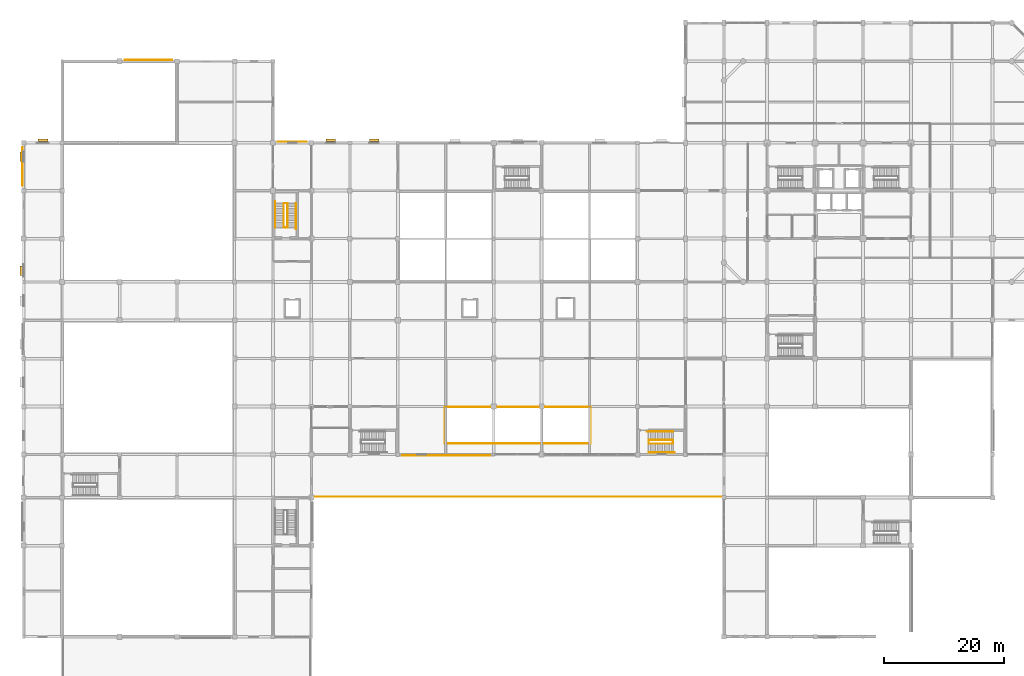
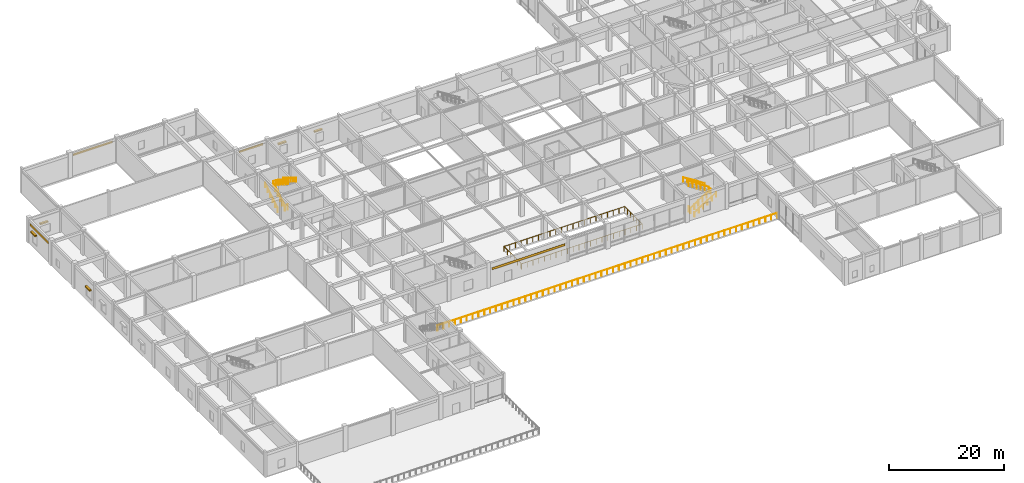
# One storey, part 34 of 36: 10 railings, 5 shading devices, 4 coverings.
"""IFC4 building model written with IfcOpenShell, lengths in metres."""

from ifc_helpers import new_model, si_unit, direction, frame, origin, origin_2d, place, context, subcontext, project, spatial, polyline, rectangle, circle, outline, extrude, material, layer, layer_set, type_object, element, save


model = new_model("IFC4")

# Units and contexts
model_context = context("Model", 3, precision=1e-05, world=origin(), true_north=direction((0.0, 1.0)))
body_context = subcontext(model_context, "Body", "Model", "MODEL_VIEW")
ifc_project = project(units=[si_unit("LENGTHUNIT", "METRE"), si_unit("AREAUNIT", "SQUARE_METRE"), si_unit("VOLUMEUNIT", "CUBIC_METRE"), si_unit("PLANEANGLEUNIT", "RADIAN"), si_unit("MASSUNIT", "GRAM", prefix="KILO")], contexts=[model_context])

# Site, building, storey
site_placement = place(None, origin())
site = spatial("IfcSite", under=ifc_project, at=site_placement, CompositionType="ELEMENT")
building_placement = place(site_placement, origin())
building = spatial("IfcBuilding", under=site, at=building_placement, Name="Vellmiral Cinema and Media Centre", CompositionType="ELEMENT")
storey_placement = place(building_placement, frame((0.0, 0.0, 5.39990234375)))
storey = spatial("IfcBuildingStorey", under=building, at=storey_placement, Name="L01", CompositionType="ELEMENT", Elevation=5.39990234375)

# Coverings
ifc_material_1 = material(Name="Polychrome Trencadis Ceramic Mosaic")
ifc_layer = layer(ifc_material_1, 0.034912109375, Name="Polychrome Trencadis Ceramic Mosaic")
ifc_layer_set = layer_set([ifc_layer], Name="Polychrome Trencadis Ceramic Mosaic")
covering_type = type_object("IfcCoveringType", Name="COV-TRENCADIS-CLAD", PredefinedType="CLADDING", material=ifc_layer_set)
covering_1_placement = place(storey_placement, frame((0.0, 0.0, 3.505126953125)))
element("IfcCovering", 1, at=covering_1_placement, inside=storey, type_object=covering_type, Name="Trencadis Spandrel Mosaic L01-012", PredefinedType="CLADDING", context=body_context, shape_type="SweptSolid", body=[
    extrude(outline(polyline([(63.125, 43.02197265625), (77.800048828125, 43.02197265625), (77.800048828125, 43.056884765625), (63.125, 43.056884765625), (63.125, 43.02197265625)])), origin(), (0.0, 0.0, 1.0), 0.47998046875),
])
covering_2_placement = place(storey_placement, frame((0.0, 0.0, 3.920166015625)))
element("IfcCovering", 2, at=covering_2_placement, inside=storey, type_object=covering_type, Name="Trencadis Spandrel Mosaic L01-060", PredefinedType="CLADDING", context=body_context, shape_type="SweptSolid", body=[
    extrude(outline(polyline([(47.22509765625, 95.3779296875), (42.39990234375, 95.3779296875), (42.39990234375, 95.343017578125), (47.22509765625, 95.343017578125), (47.22509765625, 95.3779296875)])), origin(), (0.0, 0.0, 1.0), 0.47998046875),
])
covering_3_placement = place(storey_placement, frame((0.0, 0.0, 3.9951171875)))
element("IfcCovering", 3, at=covering_3_placement, inside=storey, type_object=covering_type, Name="Trencadis Spandrel Mosaic L01-064", PredefinedType="CLADDING", context=body_context, shape_type="SweptSolid", body=[
    extrude(outline(polyline([(24.800048828125, 109.008056640625), (16.824951171875, 109.008056640625), (16.824951171875, 108.972900390625), (24.800048828125, 108.972900390625), (24.800048828125, 109.008056640625)])), origin(), (0.0, 0.0, 1.0), 0.47998046875),
])
covering_4_placement = place(storey_placement, frame((0.0, 0.0, 3.920166015625)))
element("IfcCovering", 4, at=covering_4_placement, inside=storey, type_object=covering_type, Name="Trencadis Spandrel Mosaic L01-068", PredefinedType="CLADDING", context=body_context, shape_type="SweptSolid", body=[
    extrude(outline(polyline([(-0.2080078125, 94.425048828125), (-0.2080078125, 88.0), (-0.173095703125, 88.0), (-0.173095703125, 94.425048828125), (-0.2080078125, 94.425048828125)])), origin(), (0.0, 0.0, 1.0), 0.47998046875),
])

# Railings
ifc_material_2 = material(Name="Forged Wrought-Iron Whiplash Balustrade", Category="steel")
railing_type_1 = type_object("IfcRailingType", Name="RL-BAL-WROUGHT-1120", PredefinedType="BALUSTRADE", material=ifc_material_2)
railing_1_placement = place(storey_placement, frame((48.199951171875, 36.14990234375, 0.0)))
element("IfcRailing", 5, at=railing_1_placement, inside=storey, type_object=railing_type_1, Name="Terrace Wrought-Iron Balustrade RL-TERR-L01-COURT", PredefinedType="BALUSTRADE", context=body_context, shape_type="SweptSolid", body=[
    extrude(circle(Radius=0.02392578125, at=origin_2d()), frame((0.0, 0.0, 1.09619140625), z_axis=(1.0, 0.0, 0.0), x_axis=(0.0, 1.0, 0.0)), (0.0, 0.0, 1.0), 68.400146484375),
    extrude(circle(Radius=0.02099609375, at=origin_2d()), origin(), (0.0, 0.0, 1.0), 1.072021484375),
    extrude(circle(Radius=0.02099609375, at=origin_2d()), frame((1.17919921875, 0.0, 0.0)), (0.0, 0.0, 1.0), 1.072021484375),
    extrude(circle(Radius=0.02099609375, at=origin_2d()), frame((2.358642578125, 0.0, 0.0)), (0.0, 0.0, 1.0), 1.072021484375),
    extrude(circle(Radius=0.02099609375, at=origin_2d()), frame((3.537841796875, 0.0, 0.0)), (0.0, 0.0, 1.0), 1.072021484375),
    extrude(circle(Radius=0.02099609375, at=origin_2d()), frame((4.71728515625, 0.0, 0.0)), (0.0, 0.0, 1.0), 1.072021484375),
    extrude(circle(Radius=0.02099609375, at=origin_2d()), frame((5.896484375, 0.0, 0.0)), (0.0, 0.0, 1.0), 1.072021484375),
    extrude(circle(Radius=0.02099609375, at=origin_2d()), frame((7.075927734375, 0.0, 0.0)), (0.0, 0.0, 1.0), 1.072021484375),
    extrude(circle(Radius=0.02099609375, at=origin_2d()), frame((8.255126953125, 0.0, 0.0)), (0.0, 0.0, 1.0), 1.072021484375),
    extrude(circle(Radius=0.02099609375, at=origin_2d()), frame((9.4345703125, 0.0, 0.0)), (0.0, 0.0, 1.0), 1.072021484375),
    extrude(circle(Radius=0.02099609375, at=origin_2d()), frame((10.61376953125, 0.0, 0.0)), (0.0, 0.0, 1.0), 1.072021484375),
    extrude(circle(Radius=0.02099609375, at=origin_2d()), frame((11.793212890625, 0.0, 0.0)), (0.0, 0.0, 1.0), 1.072021484375),
    extrude(circle(Radius=0.02099609375, at=origin_2d()), frame((12.972412109375, 0.0, 0.0)), (0.0, 0.0, 1.0), 1.072021484375),
    extrude(circle(Radius=0.02099609375, at=origin_2d()), frame((14.15185546875, 0.0, 0.0)), (0.0, 0.0, 1.0), 1.072021484375),
    extrude(circle(Radius=0.02099609375, at=origin_2d()), frame((15.3310546875, 0.0, 0.0)), (0.0, 0.0, 1.0), 1.072021484375),
    extrude(circle(Radius=0.02099609375, at=origin_2d()), frame((16.510498046875, 0.0, 0.0)), (0.0, 0.0, 1.0), 1.072021484375),
    extrude(circle(Radius=0.02099609375, at=origin_2d()), frame((17.689697265625, 0.0, 0.0)), (0.0, 0.0, 1.0), 1.072021484375),
    extrude(circle(Radius=0.02099609375, at=origin_2d()), frame((18.868896484375, 0.0, 0.0)), (0.0, 0.0, 1.0), 1.072021484375),
    extrude(circle(Radius=0.02099609375, at=origin_2d()), frame((20.04833984375, 0.0, 0.0)), (0.0, 0.0, 1.0), 1.072021484375),
    extrude(circle(Radius=0.02099609375, at=origin_2d()), frame((21.2275390625, 0.0, 0.0)), (0.0, 0.0, 1.0), 1.072021484375),
    extrude(circle(Radius=0.02099609375, at=origin_2d()), frame((22.406982421875, 0.0, 0.0)), (0.0, 0.0, 1.0), 1.072021484375),
    extrude(circle(Radius=0.02099609375, at=origin_2d()), frame((23.586181640625, 0.0, 0.0)), (0.0, 0.0, 1.0), 1.072021484375),
    extrude(circle(Radius=0.02099609375, at=origin_2d()), frame((24.765625, 0.0, 0.0)), (0.0, 0.0, 1.0), 1.072021484375),
    extrude(circle(Radius=0.02099609375, at=origin_2d()), frame((25.94482421875, 0.0, 0.0)), (0.0, 0.0, 1.0), 1.072021484375),
    extrude(circle(Radius=0.02099609375, at=origin_2d()), frame((27.124267578125, 0.0, 0.0)), (0.0, 0.0, 1.0), 1.072021484375),
    extrude(circle(Radius=0.02099609375, at=origin_2d()), frame((28.303466796875, 0.0, 0.0)), (0.0, 0.0, 1.0), 1.072021484375),
    extrude(circle(Radius=0.02099609375, at=origin_2d()), frame((29.48291015625, 0.0, 0.0)), (0.0, 0.0, 1.0), 1.072021484375),
    extrude(circle(Radius=0.02099609375, at=origin_2d()), frame((30.662109375, 0.0, 0.0)), (0.0, 0.0, 1.0), 1.072021484375),
    extrude(circle(Radius=0.02099609375, at=origin_2d()), frame((31.841552734375, 0.0, 0.0)), (0.0, 0.0, 1.0), 1.072021484375),
    extrude(circle(Radius=0.02099609375, at=origin_2d()), frame((33.020751953125, 0.0, 0.0)), (0.0, 0.0, 1.0), 1.072021484375),
    extrude(circle(Radius=0.02099609375, at=origin_2d()), frame((34.2001953125, 0.0, 0.0)), (0.0, 0.0, 1.0), 1.072021484375),
    extrude(circle(Radius=0.02099609375, at=origin_2d()), frame((35.37939453125, 0.0, 0.0)), (0.0, 0.0, 1.0), 1.072021484375),
    extrude(circle(Radius=0.02099609375, at=origin_2d()), frame((36.55859375, 0.0, 0.0)), (0.0, 0.0, 1.0), 1.072021484375),
    extrude(circle(Radius=0.02099609375, at=origin_2d()), frame((37.738037109375, 0.0, 0.0)), (0.0, 0.0, 1.0), 1.072021484375),
    extrude(circle(Radius=0.02099609375, at=origin_2d()), frame((38.917236328125, 0.0, 0.0)), (0.0, 0.0, 1.0), 1.072021484375),
    extrude(circle(Radius=0.02099609375, at=origin_2d()), frame((40.0966796875, 0.0, 0.0)), (0.0, 0.0, 1.0), 1.072021484375),
    extrude(circle(Radius=0.02099609375, at=origin_2d()), frame((41.27587890625, 0.0, 0.0)), (0.0, 0.0, 1.0), 1.072021484375),
    extrude(circle(Radius=0.02099609375, at=origin_2d()), frame((42.455322265625, 0.0, 0.0)), (0.0, 0.0, 1.0), 1.072021484375),
    extrude(circle(Radius=0.02099609375, at=origin_2d()), frame((43.634521484375, 0.0, 0.0)), (0.0, 0.0, 1.0), 1.072021484375),
    extrude(circle(Radius=0.02099609375, at=origin_2d()), frame((44.81396484375, 0.0, 0.0)), (0.0, 0.0, 1.0), 1.072021484375),
    extrude(circle(Radius=0.02099609375, at=origin_2d()), frame((45.9931640625, 0.0, 0.0)), (0.0, 0.0, 1.0), 1.072021484375),
    extrude(circle(Radius=0.02099609375, at=origin_2d()), frame((47.172607421875, 0.0, 0.0)), (0.0, 0.0, 1.0), 1.072021484375),
    extrude(circle(Radius=0.02099609375, at=origin_2d()), frame((48.351806640625, 0.0, 0.0)), (0.0, 0.0, 1.0), 1.072021484375),
    extrude(circle(Radius=0.02099609375, at=origin_2d()), frame((49.53125, 0.0, 0.0)), (0.0, 0.0, 1.0), 1.072021484375),
    extrude(circle(Radius=0.02099609375, at=origin_2d()), frame((50.71044921875, 0.0, 0.0)), (0.0, 0.0, 1.0), 1.072021484375),
    extrude(circle(Radius=0.02099609375, at=origin_2d()), frame((51.8896484375, 0.0, 0.0)), (0.0, 0.0, 1.0), 1.072021484375),
    extrude(circle(Radius=0.02099609375, at=origin_2d()), frame((53.069091796875, 0.0, 0.0)), (0.0, 0.0, 1.0), 1.072021484375),
    extrude(circle(Radius=0.02099609375, at=origin_2d()), frame((54.248291015625, 0.0, 0.0)), (0.0, 0.0, 1.0), 1.072021484375),
    extrude(circle(Radius=0.02099609375, at=origin_2d()), frame((55.427734375, 0.0, 0.0)), (0.0, 0.0, 1.0), 1.072021484375),
    extrude(circle(Radius=0.02099609375, at=origin_2d()), frame((56.60693359375, 0.0, 0.0)), (0.0, 0.0, 1.0), 1.072021484375),
    extrude(circle(Radius=0.02099609375, at=origin_2d()), frame((57.786376953125, 0.0, 0.0)), (0.0, 0.0, 1.0), 1.072021484375),
    extrude(circle(Radius=0.02099609375, at=origin_2d()), frame((58.965576171875, 0.0, 0.0)), (0.0, 0.0, 1.0), 1.072021484375),
    extrude(circle(Radius=0.02099609375, at=origin_2d()), frame((60.14501953125, 0.0, 0.0)), (0.0, 0.0, 1.0), 1.072021484375),
    extrude(circle(Radius=0.02099609375, at=origin_2d()), frame((61.32421875, 0.0, 0.0)), (0.0, 0.0, 1.0), 1.072021484375),
    extrude(circle(Radius=0.02099609375, at=origin_2d()), frame((62.503662109375, 0.0, 0.0)), (0.0, 0.0, 1.0), 1.072021484375),
    extrude(circle(Radius=0.02099609375, at=origin_2d()), frame((63.682861328125, 0.0, 0.0)), (0.0, 0.0, 1.0), 1.072021484375),
    extrude(circle(Radius=0.02099609375, at=origin_2d()), frame((64.8623046875, 0.0, 0.0)), (0.0, 0.0, 1.0), 1.072021484375),
    extrude(circle(Radius=0.02099609375, at=origin_2d()), frame((66.04150390625, 0.0, 0.0)), (0.0, 0.0, 1.0), 1.072021484375),
    extrude(circle(Radius=0.02099609375, at=origin_2d()), frame((67.220947265625, 0.0, 0.0)), (0.0, 0.0, 1.0), 1.072021484375),
    extrude(circle(Radius=0.02099609375, at=origin_2d()), frame((68.400146484375, 0.0, 0.0)), (0.0, 0.0, 1.0), 1.072021484375),
])
ifc_material_3 = material(Name="Brushed Stainless Steel Handrail", Category="steel")
railing_type_2 = type_object("IfcRailingType", Name="RL-HANDRAIL-900", PredefinedType="HANDRAIL", material=ifc_material_3)
railing_2_placement = place(storey_placement, frame((41.9599609375, 81.050048828125, 0.18017578125)))
element("IfcRailing", 6, at=railing_2_placement, inside=storey, type_object=railing_type_2, Name="Stair Wall Handrail ST-P2 L01-1", PredefinedType="HANDRAIL", context=body_context, shape_type="SweptSolid", body=[
    extrude(circle(Radius=0.02392578125, at=origin_2d()), frame((0.0, 0.0, 0.8759765625), z_axis=(0.0, 0.849636482215, 0.527368797038), x_axis=(-1.0, 0.0, 0.0)), (0.0, 0.0, 1.0), 5.11962890625),
    extrude(circle(Radius=0.02099609375, at=origin_2d()), origin(), (0.0, 0.0, 1.0), 0.851806640625),
    extrude(circle(Radius=0.02099609375, at=origin_2d()), frame((0.0, 0.869873046875, 0.5400390625)), (0.0, 0.0, 1.0), 0.851806640625),
    extrude(circle(Radius=0.02099609375, at=origin_2d()), frame((0.0, 1.739990234375, 1.080078125)), (0.0, 0.0, 1.0), 0.851806640625),
    extrude(circle(Radius=0.02099609375, at=origin_2d()), frame((0.0, 2.60986328125, 1.619873046875)), (0.0, 0.0, 1.0), 0.851806640625),
    extrude(circle(Radius=0.02099609375, at=origin_2d()), frame((0.0, 3.47998046875, 2.159912109375)), (0.0, 0.0, 1.0), 0.851806640625),
    extrude(circle(Radius=0.02099609375, at=origin_2d()), frame((0.0, 4.349853515625, 2.699951171875)), (0.0, 0.0, 1.0), 0.851806640625),
])
railing_3_placement = place(storey_placement, frame((45.43994140625, 85.110107421875, 2.880126953125)))
element("IfcRailing", 7, at=railing_3_placement, inside=storey, type_object=railing_type_2, Name="Stair Wall Handrail ST-P2 L01-2", PredefinedType="HANDRAIL", context=body_context, shape_type="SweptSolid", body=[
    extrude(circle(Radius=0.02392578125, at=origin_2d()), frame((0.0, 0.0, 0.8759765625), z_axis=(0.0, -0.849649743971, 0.527347430608), x_axis=(1.0, 0.0, 0.0)), (0.0, 0.0, 1.0), 5.119873046875),
    extrude(circle(Radius=0.02099609375, at=origin_2d()), origin(), (0.0, 0.0, 1.0), 0.851806640625),
    extrude(circle(Radius=0.02099609375, at=origin_2d()), frame((0.0, -0.8701171875, 0.5400390625)), (0.0, 0.0, 1.0), 0.851806640625),
    extrude(circle(Radius=0.02099609375, at=origin_2d()), frame((0.0, -1.739990234375, 1.080078125)), (0.0, 0.0, 1.0), 0.851806640625),
    extrude(circle(Radius=0.02099609375, at=origin_2d()), frame((0.0, -2.610107421875, 1.619873046875)), (0.0, 0.0, 1.0), 0.851806640625),
    extrude(circle(Radius=0.02099609375, at=origin_2d()), frame((0.0, -3.47998046875, 2.159912109375)), (0.0, 0.0, 1.0), 0.851806640625),
    extrude(circle(Radius=0.02099609375, at=origin_2d()), frame((0.0, -4.35009765625, 2.699951171875)), (0.0, 0.0, 1.0), 0.851806640625),
])
railing_4_placement = place(storey_placement, frame((104.25, 43.56005859375, 0.18017578125)))
element("IfcRailing", 8, at=railing_4_placement, inside=storey, type_object=railing_type_2, Name="Stair Wall Handrail ST-P4 L01-1", PredefinedType="HANDRAIL", context=body_context, shape_type="SweptSolid", body=[
    extrude(circle(Radius=0.02392578125, at=origin_2d()), frame((0.0, 0.0, 0.8759765625), z_axis=(0.849649743971, 0.0, 0.527347430608), x_axis=(0.0, 1.0, 0.0)), (0.0, 0.0, 1.0), 5.119873046875),
    extrude(circle(Radius=0.02099609375, at=origin_2d()), origin(), (0.0, 0.0, 1.0), 0.851806640625),
    extrude(circle(Radius=0.02099609375, at=origin_2d()), frame((0.8701171875, 0.0, 0.5400390625)), (0.0, 0.0, 1.0), 0.851806640625),
    extrude(circle(Radius=0.02099609375, at=origin_2d()), frame((1.739990234375, 0.0, 1.080078125)), (0.0, 0.0, 1.0), 0.851806640625),
    extrude(circle(Radius=0.02099609375, at=origin_2d()), frame((2.610107421875, 0.0, 1.619873046875)), (0.0, 0.0, 1.0), 0.851806640625),
    extrude(circle(Radius=0.02099609375, at=origin_2d()), frame((3.47998046875, 0.0, 2.159912109375)), (0.0, 0.0, 1.0), 0.851806640625),
    extrude(circle(Radius=0.02099609375, at=origin_2d()), frame((4.35009765625, 0.0, 2.699951171875)), (0.0, 0.0, 1.0), 0.851806640625),
])
railing_5_placement = place(storey_placement, frame((108.31005859375, 47.0400390625, 2.880126953125)))
element("IfcRailing", 9, at=railing_5_placement, inside=storey, type_object=railing_type_2, Name="Stair Wall Handrail ST-P4 L01-2", PredefinedType="HANDRAIL", context=body_context, shape_type="SweptSolid", body=[
    extrude(circle(Radius=0.02392578125, at=origin_2d()), frame((0.0, 0.0, 0.8759765625), z_axis=(-0.849649743971, 0.0, 0.527347430608), x_axis=(0.0, -1.0, 0.0)), (0.0, 0.0, 1.0), 5.119873046875),
    extrude(circle(Radius=0.02099609375, at=origin_2d()), origin(), (0.0, 0.0, 1.0), 0.851806640625),
    extrude(circle(Radius=0.02099609375, at=origin_2d()), frame((-0.8701171875, 0.0, 0.5400390625)), (0.0, 0.0, 1.0), 0.851806640625),
    extrude(circle(Radius=0.02099609375, at=origin_2d()), frame((-1.739990234375, 0.0, 1.080078125)), (0.0, 0.0, 1.0), 0.851806640625),
    extrude(circle(Radius=0.02099609375, at=origin_2d()), frame((-2.610107421875, 0.0, 1.619873046875)), (0.0, 0.0, 1.0), 0.851806640625),
    extrude(circle(Radius=0.02099609375, at=origin_2d()), frame((-3.47998046875, 0.0, 2.159912109375)), (0.0, 0.0, 1.0), 0.851806640625),
    extrude(circle(Radius=0.02099609375, at=origin_2d()), frame((-4.35009765625, 0.0, 2.699951171875)), (0.0, 0.0, 1.0), 0.851806640625),
])
ifc_material_4 = material(Name="Painted Steel Stair Guardrail", Category="steel")
railing_type_3 = type_object("IfcRailingType", Name="RL-STAIR-GUARD-1120", PredefinedType="GUARDRAIL", material=ifc_material_4)
railing_6_placement = place(storey_placement, frame((43.97998046875, 81.050048828125, 0.0)))
element("IfcRailing", 10, at=railing_6_placement, inside=storey, type_object=railing_type_3, Name="Stair Well Guard ST-P2 L01-A", PredefinedType="GUARDRAIL", context=body_context, shape_type="SweptSolid", body=[
    extrude(circle(Radius=0.02392578125, at=origin_2d()), frame((0.0, 0.0, 1.09619140625), z_axis=(-1.0, 0.0, 0.0), x_axis=(0.0, -1.0, 0.0)), (0.0, 0.0, 1.0), 0.60009765625),
    extrude(circle(Radius=0.02392578125, at=origin_2d()), frame((-0.60009765625, 0.0, 1.09619140625), z_axis=(0.0, 0.832666028451, 0.553775482542), x_axis=(-1.0, 0.0, 0.0)), (0.0, 0.0, 1.0), 4.8759765625),
    extrude(circle(Radius=0.02392578125, at=origin_2d()), frame((-0.60009765625, 4.06005859375, 3.79638671875), z_axis=(1.0, 0.0, 0.0), x_axis=(0.0, 1.0, 0.0)), (0.0, 0.0, 1.0), 0.64013671875),
    extrude(circle(Radius=0.02099609375, at=origin_2d()), origin(), (0.0, 0.0, 1.0), 1.072021484375),
    extrude(circle(Radius=0.02099609375, at=origin_2d()), frame((-0.60009765625, 0.0, 0.0)), (0.0, 0.0, 1.0), 1.072021484375),
    extrude(circle(Radius=0.02099609375, at=origin_2d()), frame((-0.60009765625, 0.81201171875, 0.5400390625)), (0.0, 0.0, 1.0), 1.072021484375),
    extrude(circle(Radius=0.02099609375, at=origin_2d()), frame((-0.60009765625, 1.6240234375, 1.080078125)), (0.0, 0.0, 1.0), 1.072021484375),
    extrude(circle(Radius=0.02099609375, at=origin_2d()), frame((-0.60009765625, 2.43603515625, 1.6201171875)), (0.0, 0.0, 1.0), 1.072021484375),
    extrude(circle(Radius=0.02099609375, at=origin_2d()), frame((-0.60009765625, 3.248046875, 2.16015625)), (0.0, 0.0, 1.0), 1.072021484375),
    extrude(circle(Radius=0.02099609375, at=origin_2d()), frame((-0.60009765625, 4.06005859375, 2.7001953125)), (0.0, 0.0, 1.0), 1.072021484375),
    extrude(circle(Radius=0.02099609375, at=origin_2d()), frame((0.0400390625, 4.06005859375, 2.7001953125)), (0.0, 0.0, 1.0), 1.072021484375),
])
railing_7_placement = place(storey_placement, frame((44.02001953125, 85.110107421875, 2.7001953125)))
element("IfcRailing", 11, at=railing_7_placement, inside=storey, type_object=railing_type_3, Name="Stair Well Guard ST-P2 L01-B", PredefinedType="GUARDRAIL", context=body_context, shape_type="SweptSolid", body=[
    extrude(circle(Radius=0.02392578125, at=origin_2d()), frame((0.0, 0.0, 1.09619140625), z_axis=(0.0, -0.8326891162, 0.553740765848), x_axis=(1.0, 0.0, 0.0)), (0.0, 0.0, 1.0), 4.875732421875),
    extrude(circle(Radius=0.02099609375, at=origin_2d()), origin(), (0.0, 0.0, 1.0), 1.072021484375),
    extrude(circle(Radius=0.02099609375, at=origin_2d()), frame((0.0, -0.81201171875, 0.5400390625)), (0.0, 0.0, 1.0), 1.072021484375),
    extrude(circle(Radius=0.02099609375, at=origin_2d()), frame((0.0, -1.6240234375, 1.080078125)), (0.0, 0.0, 1.0), 1.072021484375),
    extrude(circle(Radius=0.02099609375, at=origin_2d()), frame((0.0, -2.43603515625, 1.619873046875)), (0.0, 0.0, 1.0), 1.072021484375),
    extrude(circle(Radius=0.02099609375, at=origin_2d()), frame((0.0, -3.248046875, 2.159912109375)), (0.0, 0.0, 1.0), 1.072021484375),
    extrude(circle(Radius=0.02099609375, at=origin_2d()), frame((0.0, -4.06005859375, 2.699951171875)), (0.0, 0.0, 1.0), 1.072021484375),
])
railing_8_placement = place(storey_placement, frame((104.25, 45.580078125, 0.0)))
element("IfcRailing", 12, at=railing_8_placement, inside=storey, type_object=railing_type_3, Name="Stair Well Guard ST-P4 L01-A", PredefinedType="GUARDRAIL", context=body_context, shape_type="SweptSolid", body=[
    extrude(circle(Radius=0.02392578125, at=origin_2d()), frame((0.0, 0.0, 1.09619140625), z_axis=(0.0, -1.0, 0.0), x_axis=(1.0, 0.0, 0.0)), (0.0, 0.0, 1.0), 0.60009765625),
    extrude(circle(Radius=0.02392578125, at=origin_2d()), frame((0.0, -0.60009765625, 1.09619140625), z_axis=(0.832666028451, 0.0, 0.553775482542), x_axis=(0.0, 1.0, 0.0)), (0.0, 0.0, 1.0), 4.8759765625),
    extrude(circle(Radius=0.02392578125, at=origin_2d()), frame((4.06005859375, -0.60009765625, 3.79638671875), z_axis=(0.0, 1.0, 0.0), x_axis=(-1.0, 0.0, 0.0)), (0.0, 0.0, 1.0), 0.64013671875),
    extrude(circle(Radius=0.02099609375, at=origin_2d()), origin(), (0.0, 0.0, 1.0), 1.072021484375),
    extrude(circle(Radius=0.02099609375, at=origin_2d()), frame((0.0, -0.60009765625, 0.0)), (0.0, 0.0, 1.0), 1.072021484375),
    extrude(circle(Radius=0.02099609375, at=origin_2d()), frame((0.81201171875, -0.60009765625, 0.5400390625)), (0.0, 0.0, 1.0), 1.072021484375),
    extrude(circle(Radius=0.02099609375, at=origin_2d()), frame((1.6240234375, -0.60009765625, 1.080078125)), (0.0, 0.0, 1.0), 1.072021484375),
    extrude(circle(Radius=0.02099609375, at=origin_2d()), frame((2.43603515625, -0.60009765625, 1.6201171875)), (0.0, 0.0, 1.0), 1.072021484375),
    extrude(circle(Radius=0.02099609375, at=origin_2d()), frame((3.248046875, -0.60009765625, 2.16015625)), (0.0, 0.0, 1.0), 1.072021484375),
    extrude(circle(Radius=0.02099609375, at=origin_2d()), frame((4.06005859375, -0.60009765625, 2.7001953125)), (0.0, 0.0, 1.0), 1.072021484375),
    extrude(circle(Radius=0.02099609375, at=origin_2d()), frame((4.06005859375, 0.0400390625, 2.7001953125)), (0.0, 0.0, 1.0), 1.072021484375),
])
railing_9_placement = place(storey_placement, frame((108.31005859375, 45.6201171875, 2.7001953125)))
element("IfcRailing", 13, at=railing_9_placement, inside=storey, type_object=railing_type_3, Name="Stair Well Guard ST-P4 L01-B", PredefinedType="GUARDRAIL", context=body_context, shape_type="SweptSolid", body=[
    extrude(circle(Radius=0.02392578125, at=origin_2d()), frame((0.0, 0.0, 1.09619140625), z_axis=(-0.8326891162, 0.0, 0.553740765848), x_axis=(0.0, -1.0, 0.0)), (0.0, 0.0, 1.0), 4.875732421875),
    extrude(circle(Radius=0.02099609375, at=origin_2d()), origin(), (0.0, 0.0, 1.0), 1.072021484375),
    extrude(circle(Radius=0.02099609375, at=origin_2d()), frame((-0.81201171875, 0.0, 0.5400390625)), (0.0, 0.0, 1.0), 1.072021484375),
    extrude(circle(Radius=0.02099609375, at=origin_2d()), frame((-1.6240234375, 0.0, 1.080078125)), (0.0, 0.0, 1.0), 1.072021484375),
    extrude(circle(Radius=0.02099609375, at=origin_2d()), frame((-2.43603515625, 0.0, 1.619873046875)), (0.0, 0.0, 1.0), 1.072021484375),
    extrude(circle(Radius=0.02099609375, at=origin_2d()), frame((-3.248046875, 0.0, 2.159912109375)), (0.0, 0.0, 1.0), 1.072021484375),
    extrude(circle(Radius=0.02099609375, at=origin_2d()), frame((-4.06005859375, 0.0, 2.699951171875)), (0.0, 0.0, 1.0), 1.072021484375),
])
railing_10_placement = place(storey_placement, frame((70.25, 45.14990234375, 0.0)))
element("IfcRailing", 14, at=railing_10_placement, inside=storey, type_object=railing_type_3, Name="Upper Foyer Lightwell Safety Guard L01", PredefinedType="GUARDRAIL", context=body_context, shape_type="SweptSolid", body=[
    extrude(circle(Radius=0.02392578125, at=origin_2d()), frame((0.0, 0.0, 1.09619140625), z_axis=(0.0, -1.0, 0.0), x_axis=(1.0, 0.0, 0.0)), (0.0, 0.0, 1.0), 0.099853515625),
    extrude(circle(Radius=0.02392578125, at=origin_2d()), frame((0.0, -0.099853515625, 1.09619140625), z_axis=(1.0, 0.0, 0.0), x_axis=(0.0, 1.0, 0.0)), (0.0, 0.0, 1.0), 24.300048828125),
    extrude(circle(Radius=0.02392578125, at=origin_2d()), frame((24.300048828125, -0.099853515625, 1.09619140625), z_axis=(0.0, 1.0, 0.0), x_axis=(-1.0, 0.0, 0.0)), (0.0, 0.0, 1.0), 6.099853515625),
    extrude(circle(Radius=0.02392578125, at=origin_2d()), frame((24.300048828125, 6.0, 1.09619140625), z_axis=(-1.0, 0.0, 0.0), x_axis=(0.0, -1.0, 0.0)), (0.0, 0.0, 1.0), 24.300048828125),
    extrude(circle(Radius=0.02392578125, at=origin_2d()), frame((0.0, 6.0, 1.09619140625), z_axis=(0.0, -1.0, 0.0), x_axis=(1.0, 0.0, 0.0)), (0.0, 0.0, 1.0), 5.89990234375),
    extrude(circle(Radius=0.02099609375, at=origin_2d()), origin(), (0.0, 0.0, 1.0), 1.072021484375),
    extrude(circle(Radius=0.02099609375, at=origin_2d()), frame((0.0, -0.099853515625, 0.0)), (0.0, 0.0, 1.0), 1.072021484375),
    extrude(circle(Radius=0.02099609375, at=origin_2d()), frame((1.1572265625, -0.099853515625, 0.0)), (0.0, 0.0, 1.0), 1.072021484375),
    extrude(circle(Radius=0.02099609375, at=origin_2d()), frame((2.314208984375, -0.099853515625, 0.0)), (0.0, 0.0, 1.0), 1.072021484375),
    extrude(circle(Radius=0.02099609375, at=origin_2d()), frame((3.471435546875, -0.099853515625, 0.0)), (0.0, 0.0, 1.0), 1.072021484375),
    extrude(circle(Radius=0.02099609375, at=origin_2d()), frame((4.628662109375, -0.099853515625, 0.0)), (0.0, 0.0, 1.0), 1.072021484375),
    extrude(circle(Radius=0.02099609375, at=origin_2d()), frame((5.78564453125, -0.099853515625, 0.0)), (0.0, 0.0, 1.0), 1.072021484375),
    extrude(circle(Radius=0.02099609375, at=origin_2d()), frame((6.94287109375, -0.099853515625, 0.0)), (0.0, 0.0, 1.0), 1.072021484375),
    extrude(circle(Radius=0.02099609375, at=origin_2d()), frame((8.10009765625, -0.099853515625, 0.0)), (0.0, 0.0, 1.0), 1.072021484375),
    extrude(circle(Radius=0.02099609375, at=origin_2d()), frame((9.257080078125, -0.099853515625, 0.0)), (0.0, 0.0, 1.0), 1.072021484375),
    extrude(circle(Radius=0.02099609375, at=origin_2d()), frame((10.414306640625, -0.099853515625, 0.0)), (0.0, 0.0, 1.0), 1.072021484375),
    extrude(circle(Radius=0.02099609375, at=origin_2d()), frame((11.571533203125, -0.099853515625, 0.0)), (0.0, 0.0, 1.0), 1.072021484375),
    extrude(circle(Radius=0.02099609375, at=origin_2d()), frame((12.728515625, -0.099853515625, 0.0)), (0.0, 0.0, 1.0), 1.072021484375),
    extrude(circle(Radius=0.02099609375, at=origin_2d()), frame((13.8857421875, -0.099853515625, 0.0)), (0.0, 0.0, 1.0), 1.072021484375),
    extrude(circle(Radius=0.02099609375, at=origin_2d()), frame((15.04296875, -0.099853515625, 0.0)), (0.0, 0.0, 1.0), 1.072021484375),
    extrude(circle(Radius=0.02099609375, at=origin_2d()), frame((16.199951171875, -0.099853515625, 0.0)), (0.0, 0.0, 1.0), 1.072021484375),
    extrude(circle(Radius=0.02099609375, at=origin_2d()), frame((17.357177734375, -0.099853515625, 0.0)), (0.0, 0.0, 1.0), 1.072021484375),
    extrude(circle(Radius=0.02099609375, at=origin_2d()), frame((18.514404296875, -0.099853515625, 0.0)), (0.0, 0.0, 1.0), 1.072021484375),
    extrude(circle(Radius=0.02099609375, at=origin_2d()), frame((19.67138671875, -0.099853515625, 0.0)), (0.0, 0.0, 1.0), 1.072021484375),
    extrude(circle(Radius=0.02099609375, at=origin_2d()), frame((20.82861328125, -0.099853515625, 0.0)), (0.0, 0.0, 1.0), 1.072021484375),
    extrude(circle(Radius=0.02099609375, at=origin_2d()), frame((21.98583984375, -0.099853515625, 0.0)), (0.0, 0.0, 1.0), 1.072021484375),
    extrude(circle(Radius=0.02099609375, at=origin_2d()), frame((23.142822265625, -0.099853515625, 0.0)), (0.0, 0.0, 1.0), 1.072021484375),
    extrude(circle(Radius=0.02099609375, at=origin_2d()), frame((24.300048828125, -0.099853515625, 0.0)), (0.0, 0.0, 1.0), 1.072021484375),
    extrude(circle(Radius=0.02099609375, at=origin_2d()), frame((24.300048828125, 0.916748046875, 0.0)), (0.0, 0.0, 1.0), 1.072021484375),
    extrude(circle(Radius=0.02099609375, at=origin_2d()), frame((24.300048828125, 1.933349609375, 0.0)), (0.0, 0.0, 1.0), 1.072021484375),
    extrude(circle(Radius=0.02099609375, at=origin_2d()), frame((24.300048828125, 2.9501953125, 0.0)), (0.0, 0.0, 1.0), 1.072021484375),
    extrude(circle(Radius=0.02099609375, at=origin_2d()), frame((24.300048828125, 3.966796875, 0.0)), (0.0, 0.0, 1.0), 1.072021484375),
    extrude(circle(Radius=0.02099609375, at=origin_2d()), frame((24.300048828125, 4.9833984375, 0.0)), (0.0, 0.0, 1.0), 1.072021484375),
    extrude(circle(Radius=0.02099609375, at=origin_2d()), frame((24.300048828125, 6.0, 0.0)), (0.0, 0.0, 1.0), 1.072021484375),
    extrude(circle(Radius=0.02099609375, at=origin_2d()), frame((23.142822265625, 6.0, 0.0)), (0.0, 0.0, 1.0), 1.072021484375),
    extrude(circle(Radius=0.02099609375, at=origin_2d()), frame((21.98583984375, 6.0, 0.0)), (0.0, 0.0, 1.0), 1.072021484375),
    extrude(circle(Radius=0.02099609375, at=origin_2d()), frame((20.82861328125, 6.0, 0.0)), (0.0, 0.0, 1.0), 1.072021484375),
    extrude(circle(Radius=0.02099609375, at=origin_2d()), frame((19.67138671875, 6.0, 0.0)), (0.0, 0.0, 1.0), 1.072021484375),
    extrude(circle(Radius=0.02099609375, at=origin_2d()), frame((18.514404296875, 6.0, 0.0)), (0.0, 0.0, 1.0), 1.072021484375),
    extrude(circle(Radius=0.02099609375, at=origin_2d()), frame((17.357177734375, 6.0, 0.0)), (0.0, 0.0, 1.0), 1.072021484375),
    extrude(circle(Radius=0.02099609375, at=origin_2d()), frame((16.199951171875, 6.0, 0.0)), (0.0, 0.0, 1.0), 1.072021484375),
    extrude(circle(Radius=0.02099609375, at=origin_2d()), frame((15.04296875, 6.0, 0.0)), (0.0, 0.0, 1.0), 1.072021484375),
    extrude(circle(Radius=0.02099609375, at=origin_2d()), frame((13.8857421875, 6.0, 0.0)), (0.0, 0.0, 1.0), 1.072021484375),
    extrude(circle(Radius=0.02099609375, at=origin_2d()), frame((12.728515625, 6.0, 0.0)), (0.0, 0.0, 1.0), 1.072021484375),
    extrude(circle(Radius=0.02099609375, at=origin_2d()), frame((11.571533203125, 6.0, 0.0)), (0.0, 0.0, 1.0), 1.072021484375),
    extrude(circle(Radius=0.02099609375, at=origin_2d()), frame((10.414306640625, 6.0, 0.0)), (0.0, 0.0, 1.0), 1.072021484375),
    extrude(circle(Radius=0.02099609375, at=origin_2d()), frame((9.257080078125, 6.0, 0.0)), (0.0, 0.0, 1.0), 1.072021484375),
    extrude(circle(Radius=0.02099609375, at=origin_2d()), frame((8.10009765625, 6.0, 0.0)), (0.0, 0.0, 1.0), 1.072021484375),
    extrude(circle(Radius=0.02099609375, at=origin_2d()), frame((6.94287109375, 6.0, 0.0)), (0.0, 0.0, 1.0), 1.072021484375),
    extrude(circle(Radius=0.02099609375, at=origin_2d()), frame((5.78564453125, 6.0, 0.0)), (0.0, 0.0, 1.0), 1.072021484375),
    extrude(circle(Radius=0.02099609375, at=origin_2d()), frame((4.628662109375, 6.0, 0.0)), (0.0, 0.0, 1.0), 1.072021484375),
    extrude(circle(Radius=0.02099609375, at=origin_2d()), frame((3.471435546875, 6.0, 0.0)), (0.0, 0.0, 1.0), 1.072021484375),
    extrude(circle(Radius=0.02099609375, at=origin_2d()), frame((2.314208984375, 6.0, 0.0)), (0.0, 0.0, 1.0), 1.072021484375),
    extrude(circle(Radius=0.02099609375, at=origin_2d()), frame((1.1572265625, 6.0, 0.0)), (0.0, 0.0, 1.0), 1.072021484375),
    extrude(circle(Radius=0.02099609375, at=origin_2d()), frame((0.0, 6.0, 0.0)), (0.0, 0.0, 1.0), 1.072021484375),
    extrude(circle(Radius=0.02099609375, at=origin_2d()), frame((0.0, 4.820068359375, 0.0)), (0.0, 0.0, 1.0), 1.072021484375),
    extrude(circle(Radius=0.02099609375, at=origin_2d()), frame((0.0, 3.64013671875, 0.0)), (0.0, 0.0, 1.0), 1.072021484375),
    extrude(circle(Radius=0.02099609375, at=origin_2d()), frame((0.0, 2.4599609375, 0.0)), (0.0, 0.0, 1.0), 1.072021484375),
    extrude(circle(Radius=0.02099609375, at=origin_2d()), frame((0.0, 1.280029296875, 0.0)), (0.0, 0.0, 1.0), 1.072021484375),
    extrude(circle(Radius=0.02099609375, at=origin_2d()), frame((0.0, 0.10009765625, 0.0)), (0.0, 0.0, 1.0), 1.072021484375),
])

# Shading devices
ifc_material_5 = material(Name="Glazed Polychrome Ceramic Louvre Blade", Category="ceramic")
shading_device_type = type_object("IfcShadingDeviceType", Name="SHD-CERAMIC-JALOUSIE", PredefinedType="JALOUSIE", material=ifc_material_5)
for number, where, z_axis, x_axis, name in (
    (15, (58.46240234375, 95.60009765625, 2.85009765625), (0.0, 0.0, 1.0), (-1.0, 0.0, 0.0), "Ceramic Sun-Shading Louvre L01-17"),
    (16, (51.22509765625, 95.60009765625, 2.75), (0.0, 0.0, 1.0), (-1.0, 0.0, 0.0), "Ceramic Sun-Shading Louvre L01-18"),
    (17, (3.22509765625, 95.60009765625, 2.55029296875), (0.0, 0.0, 1.0), (-1.0, 0.0, 0.0), "Ceramic Sun-Shading Louvre L01-19"),
    (18, (-0.39990234375, 92.862548828125, 3.10009765625), (0.0, 0.0, 1.0), (0.0, -1.0, 0.0), "Ceramic Sun-Shading Louvre L01-20"),
    (19, (-0.39990234375, 73.862548828125, 3.0), (0.0, 0.0, 1.0), (0.0, -1.0, 0.0), "Ceramic Sun-Shading Louvre L01-21"),
):
    element("IfcShadingDevice", number, at=place(storey_placement, frame(where, z_axis=z_axis, x_axis=x_axis)), inside=storey, type_object=shading_device_type, Name=name, PredefinedType="JALOUSIE", context=body_context, shape_type="SweptSolid", body=[
        extrude(rectangle(XDim=1.60009765625, YDim=0.419921875, at=origin_2d()), origin(), (0.0, 0.0, 1.0), 0.280029296875),
    ])

save(model, "model.ifc")
